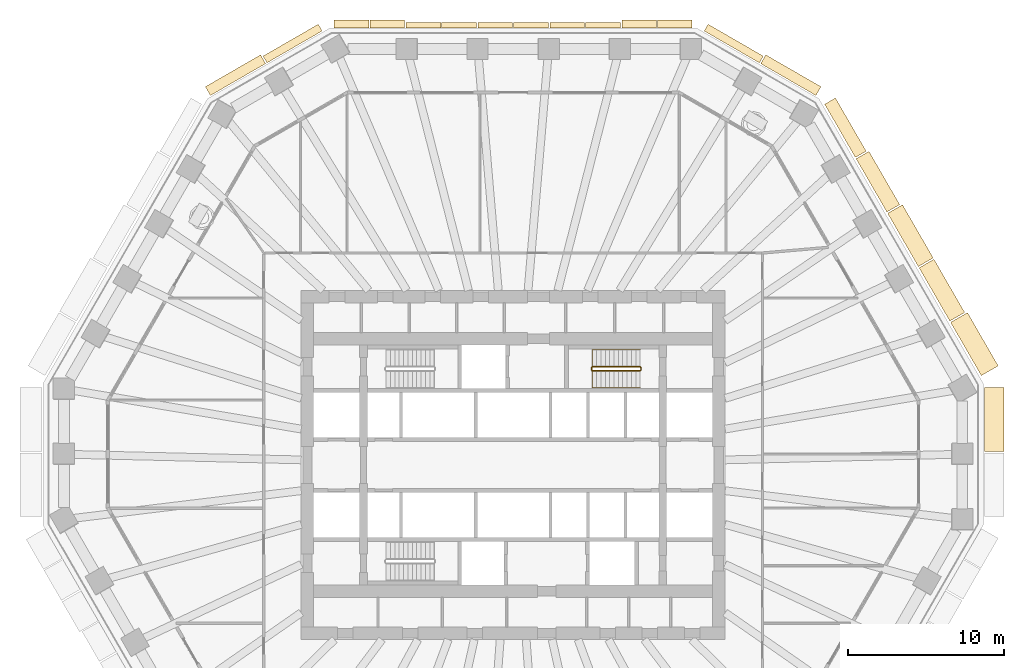
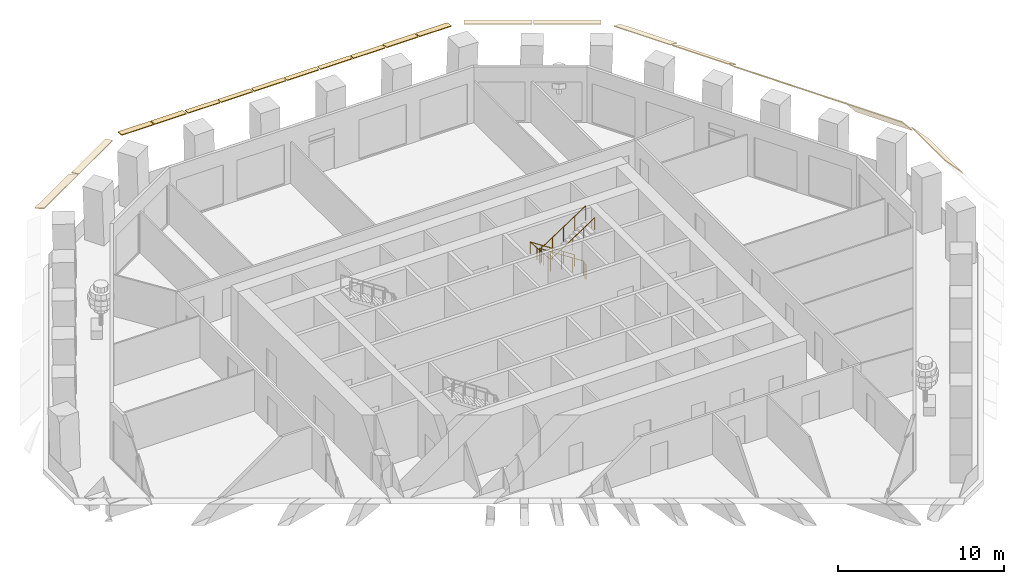
# One storey, part 11 of 13: 20 coverings, 2 railings.
"""IFC4 building model written with IfcOpenShell, lengths in metres."""

from ifc_helpers import new_model, si_unit, direction, frame, origin, origin_2d, place, context, subcontext, project, spatial, polyline, circle, outline, extrude, material, layer, layer_set, type_object, element, save


model = new_model("IFC4")

# Units and contexts
model_context = context("Model", 3, precision=1e-05, world=origin(), true_north=direction((0.0, 1.0)))
body_context = subcontext(model_context, "Body", "Model", "MODEL_VIEW")
ifc_project = project(units=[si_unit("LENGTHUNIT", "METRE"), si_unit("AREAUNIT", "SQUARE_METRE"), si_unit("VOLUMEUNIT", "CUBIC_METRE"), si_unit("PLANEANGLEUNIT", "RADIAN"), si_unit("MASSUNIT", "GRAM", prefix="KILO")], contexts=[model_context])

# Site, building, storey
site_placement = place(None, origin())
site = spatial("IfcSite", under=ifc_project, at=site_placement, CompositionType="ELEMENT")
building_placement = place(site_placement, origin())
building = spatial("IfcBuilding", under=site, at=building_placement, Name="Frailejon Research Tower", CompositionType="ELEMENT")
storey_placement = place(building_placement, frame((0.0, 0.0, 102.800048828125)))
storey = spatial("IfcBuildingStorey", under=building, at=storey_placement, Name="L22", CompositionType="ELEMENT", Elevation=102.800048828125)

# Coverings
ifc_material_1 = material(Name="Precast concrete C50/60", Category="concrete")
ifc_layer_1 = layer(ifc_material_1, 0.06005859375)
ifc_layer_set_1 = layer_set([ifc_layer_1], Name="Brim blade depth 1100")
covering_type_1 = type_object("IfcCoveringType", Name="Brim blade depth 1100", PredefinedType="CLADDING", material=ifc_layer_set_1)
for number, where, z_axis, x_axis, name in (
    (1, (26.045654296875, 12.64697265625, 4.25), (0.499990979749, -0.866030611566, 0.0), (0.866030611566, 0.499990979749, 0.0), "Brim blade L22"),
    (2, (24.025390625, 16.14599609375, 4.25), (0.500009543026, -0.866019894046, 0.0), (0.866019894046, 0.500009543026, 0.0), "Brim blade L22"),
):
    element("IfcCovering", number, at=place(storey_placement, frame(where, z_axis=z_axis, x_axis=x_axis)), inside=storey, type_object=covering_type_1, Name=name, PredefinedType="CLADDING", context=body_context, shape_type="SweptSolid", body=[
        extrude(outline(polyline([(0.0, -0.078369140625), (1.10009765625, -1.001220703125), (1.10009765625, -0.923095703125), (0.0, 0.0), (0.0, -0.078369140625)])), origin(), (0.0, 0.0, 1.0), 3.940185546875),
    ])
ifc_material_2 = material(Name="Precast concrete C50/60", Category="concrete")
ifc_layer_2 = layer(ifc_material_2, 0.06005859375)
ifc_layer_set_2 = layer_set([ifc_layer_2], Name="Brim blade depth 1250")
covering_type_2 = type_object("IfcCoveringType", Name="Brim blade depth 1250", PredefinedType="CLADDING", material=ifc_layer_set_2)
covering_1_placement = place(storey_placement, frame((30.24169921875, 4.96728515625, 4.25), z_axis=(0.0, -1.0, 0.0), x_axis=(1.0, 0.0, 0.0)))
element("IfcCovering", 3, at=covering_1_placement, inside=storey, type_object=covering_type_2, Name="Brim blade L22", PredefinedType="CLADDING", context=body_context, shape_type="SweptSolid", body=[
    extrude(outline(polyline([(0.0, -0.0888671875), (1.25, -1.452880859375), (1.25, -1.364013671875), (0.0, 0.0), (0.0, -0.0888671875)])), origin(), (0.0, 0.0, 1.0), 4.08740234375),
])
covering_2_placement = place(storey_placement, frame((28.065673828125, 9.14794921875, 4.25), z_axis=(0.499998825824, -0.866026081694, 0.0), x_axis=(0.866026081694, 0.499998825824, 0.0)))
element("IfcCovering", 4, at=covering_2_placement, inside=storey, type_object=covering_type_2, Name="Brim blade L22", PredefinedType="CLADDING", context=body_context, shape_type="SweptSolid", body=[
    extrude(outline(polyline([(0.0, -0.0888671875), (1.25, -1.452880859375), (1.25, -1.364013671875), (0.0, 0.0), (0.0, -0.0888671875)])), origin(), (0.0, 0.0, 1.0), 3.9404296875),
])
ifc_material_3 = material(Name="Precast concrete C50/60", Category="concrete")
ifc_layer_3 = layer(ifc_material_3, 0.06005859375)
ifc_layer_set_3 = layer_set([ifc_layer_3], Name="Brim blade depth 350")
covering_type_3 = type_object("IfcCoveringType", Name="Brim blade depth 350", PredefinedType="CLADDING", material=ifc_layer_set_3)
for number, where, z_axis, x_axis, name in (
    (5, (4.64501953125, 28.050048828125, 4.25), (1.0, 0.0, 0.0), (0.0, 1.0, 0.0), "Brim blade L22"),
    (6, (2.357666015625, 28.050048828125, 4.25), (1.0, 0.0, 0.0), (0.0, 1.0, 0.0), "Brim blade L22"),
    (7, (0.030029296875, 28.050048828125, 4.25), (1.0, 0.0, 0.0), (0.0, 1.0, 0.0), "Brim blade L22"),
    (8, (-2.257568359375, 28.050048828125, 4.25), (1.0, 0.0, 0.0), (0.0, 1.0, 0.0), "Brim blade L22"),
    (9, (-4.585205078125, 28.050048828125, 4.25), (1.0, 0.0, 0.0), (0.0, 1.0, 0.0), "Brim blade L22"),
    (10, (-6.872802734375, 28.050048828125, 4.25), (1.0, 0.0, 0.0), (0.0, 1.0, 0.0), "Brim blade L22"),
):
    element("IfcCovering", number, at=place(storey_placement, frame(where, z_axis=z_axis, x_axis=x_axis)), inside=storey, type_object=covering_type_3, Name=name, PredefinedType="CLADDING", context=body_context, shape_type="SweptSolid", body=[
        extrude(outline(polyline([(0.0, -0.06005859375), (0.35009765625, -0.06005859375), (0.35009765625, 0.0), (0.0, 0.0), (0.0, -0.06005859375)])), origin(), (0.0, 0.0, 1.0), 2.2275390625),
    ])
ifc_material_4 = material(Name="Precast concrete C50/60", Category="concrete")
ifc_layer_4 = layer(ifc_material_4, 0.06005859375)
ifc_layer_set_4 = layer_set([ifc_layer_4], Name="Brim blade depth 500")
covering_type_4 = type_object("IfcCoveringType", Name="Brim blade depth 500", PredefinedType="CLADDING", material=ifc_layer_set_4)
covering_3_placement = place(storey_placement, frame((12.256103515625, 27.843994140625, 4.25), z_axis=(0.866021344981, -0.500007029989, 0.0), x_axis=(0.500007029989, 0.866021344981, 0.0)))
element("IfcCovering", 11, at=covering_3_placement, inside=storey, type_object=covering_type_4, Name="Brim blade L22", PredefinedType="CLADDING", context=body_context, shape_type="SweptSolid", body=[
    extrude(outline(polyline([(0.0, -0.060546875), (0.5, -0.130859375), (0.5, -0.0703125), (0.0, 0.0), (0.0, -0.060546875)])), origin(), (0.0, 0.0, 1.0), 4.08740234375),
])
for number, where, z_axis, x_axis, name in (
    (12, (9.26025390625, 28.050048828125, 4.25), (1.0, 0.0, 0.0), (0.0, 1.0, 0.0), "Brim blade L22"),
    (13, (6.97265625, 28.050048828125, 4.25), (1.0, 0.0, 0.0), (0.0, 1.0, 0.0), "Brim blade L22"),
    (14, (-9.2001953125, 28.050048828125, 4.25), (1.0, 0.0, 0.0), (0.0, 1.0, 0.0), "Brim blade L22"),
    (15, (-11.48779296875, 28.050048828125, 4.25), (1.0, 0.0, 0.0), (0.0, 1.0, 0.0), "Brim blade L22"),
):
    element("IfcCovering", number, at=place(storey_placement, frame(where, z_axis=z_axis, x_axis=x_axis)), inside=storey, type_object=covering_type_4, Name=name, PredefinedType="CLADDING", context=body_context, shape_type="SweptSolid", body=[
        extrude(outline(polyline([(0.0, -0.060546875), (0.5, -0.130859375), (0.5, -0.0703125), (0.0, 0.0), (0.0, -0.060546875)])), origin(), (0.0, 0.0, 1.0), 2.2275390625),
    ])
covering_4_placement = place(storey_placement, frame((-15.796142578125, 25.80029296875, 4.25), z_axis=(0.866021344981, 0.500007029989, 0.0), x_axis=(-0.500007029989, 0.866021344981, 0.0)))
element("IfcCovering", 16, at=covering_4_placement, inside=storey, type_object=covering_type_4, Name="Brim blade L22", PredefinedType="CLADDING", context=body_context, shape_type="SweptSolid", body=[
    extrude(outline(polyline([(0.0, -0.060546875), (0.5, -0.130859375), (0.5, -0.0703125), (0.0, 0.0), (0.0, -0.060546875)])), origin(), (0.0, 0.0, 1.0), 4.08740234375),
])
ifc_material_5 = material(Name="Precast concrete C50/60", Category="concrete")
ifc_layer_5 = layer(ifc_material_5, 0.06005859375)
ifc_layer_set_5 = layer_set([ifc_layer_5], Name="Brim blade depth 650")
covering_type_5 = type_object("IfcCoveringType", Name="Brim blade depth 650", PredefinedType="CLADDING", material=ifc_layer_set_5)
for number, where, z_axis, x_axis, name in (
    (17, (15.8828125, 25.750244140625, 4.25), (0.866021344981, -0.500007029989, 0.0), (0.500007029989, 0.866021344981, 0.0), "Brim blade L22"),
    (18, (-19.422607421875, 23.70654296875, 4.25), (0.866021344981, 0.500007029989, 0.0), (-0.500007029989, 0.866021344981, 0.0), "Brim blade L22"),
):
    element("IfcCovering", number, at=place(storey_placement, frame(where, z_axis=z_axis, x_axis=x_axis)), inside=storey, type_object=covering_type_5, Name=name, PredefinedType="CLADDING", context=body_context, shape_type="SweptSolid", body=[
        extrude(outline(polyline([(0.0, -0.0625), (0.64990234375, -0.248779296875), (0.64990234375, -0.186279296875), (0.0, 0.0), (0.0, -0.0625)])), origin(), (0.0, 0.0, 1.0), 4.08740234375),
    ])
ifc_material_6 = material(Name="Precast concrete C50/60", Category="concrete")
ifc_layer_6 = layer(ifc_material_6, 0.06005859375)
ifc_layer_set_6 = layer_set([ifc_layer_6], Name="Brim blade depth 800")
covering_type_6 = type_object("IfcCoveringType", Name="Brim blade depth 800", PredefinedType="CLADDING", material=ifc_layer_set_6)
covering_5_placement = place(storey_placement, frame((19.985107421875, 23.14404296875, 4.25), z_axis=(0.500009543026, -0.866019894046, 0.0), x_axis=(0.866019894046, 0.500009543026, 0.0)))
element("IfcCovering", 19, at=covering_5_placement, inside=storey, type_object=covering_type_6, Name="Brim blade L22", PredefinedType="CLADDING", context=body_context, shape_type="SweptSolid", body=[
    extrude(outline(polyline([(0.0, -0.065673828125), (0.800048828125, -0.421875), (0.800048828125, -0.356201171875), (0.0, 0.0), (0.0, -0.065673828125)])), origin(), (0.0, 0.0, 1.0), 3.940185546875),
])
ifc_material_7 = material(Name="Precast concrete C50/60", Category="concrete")
ifc_layer_7 = layer(ifc_material_7, 0.06005859375)
ifc_layer_set_7 = layer_set([ifc_layer_7], Name="Brim blade depth 950")
covering_type_7 = type_object("IfcCoveringType", Name="Brim blade depth 950", PredefinedType="CLADDING", material=ifc_layer_set_7)
covering_6_placement = place(storey_placement, frame((22.005126953125, 19.64501953125, 4.25), z_axis=(0.499998825824, -0.866026081694, 0.0), x_axis=(0.866026081694, 0.499998825824, 0.0)))
element("IfcCovering", 20, at=covering_6_placement, inside=storey, type_object=covering_type_7, Name="Brim blade L22", PredefinedType="CLADDING", context=body_context, shape_type="SweptSolid", body=[
    extrude(outline(polyline([(0.0, -0.07080078125), (0.949951171875, -0.664306640625), (0.949951171875, -0.593505859375), (0.0, 0.0), (0.0, -0.07080078125)])), origin(), (0.0, 0.0, 1.0), 3.9404296875),
])

# Railings
ifc_material_8 = material(Name="Stainless steel", Category="steel")
railing_type_1 = type_object("IfcRailingType", Name="Stair guard 1100", PredefinedType="GUARDRAIL", material=ifc_material_8)
railing_1_placement = place(storey_placement, frame((8.199951171875, 6.10009765625, 0.0)))
element("IfcRailing", 21, at=railing_1_placement, inside=storey, type_object=railing_type_1, Name="L22 ST3 stair guard 1", PredefinedType="GUARDRAIL", context=body_context, shape_type="SweptSolid", body=[
    extrude(circle(Radius=0.02392578125, at=origin_2d()), frame((0.0, 0.0, 1.076171875), z_axis=(0.0, 1.0, 0.0), x_axis=(-1.0, 0.0, 0.0)), (0.0, 0.0, 1.0), 0.14990234375),
    extrude(circle(Radius=0.02392578125, at=origin_2d()), frame((0.0, 0.14990234375, 1.076171875), z_axis=(-0.254653276557, 0.254653276557, 0.932900539971), x_axis=(-0.707106781187, -0.707106781187, 0.0)), (0.0, 0.0, 1.0), 0.196533203125),
    extrude(circle(Radius=0.02392578125, at=origin_2d()), frame((-0.050048828125, 0.199951171875, 1.25927734375), z_axis=(-0.836613101238, 0.0, 0.547794230379), x_axis=(0.0, -1.0, 0.0)), (0.0, 0.0, 1.0), 3.681396484375),
    extrude(circle(Radius=0.02392578125, at=origin_2d()), frame((-3.1298828125, 0.199951171875, 3.27587890625), z_axis=(-0.707106781187, -0.707106781187, 0.0), x_axis=(0.707106781187, -0.707106781187, 0.0)), (0.0, 0.0, 1.0), 0.07080078125),
    extrude(circle(Radius=0.02392578125, at=origin_2d()), frame((-3.179931640625, 0.14990234375, 3.27587890625), z_axis=(0.0, -1.0, 0.0), x_axis=(1.0, 0.0, 0.0)), (0.0, 0.0, 1.0), 0.14990234375),
    extrude(circle(Radius=0.02392578125, at=origin_2d()), frame((-3.179931640625, 0.0, 3.27587890625), z_axis=(0.254653276557, -0.254653276557, 0.932900539971), x_axis=(0.707106781187, 0.707106781187, 0.0)), (0.0, 0.0, 1.0), 0.196533203125),
    extrude(circle(Radius=0.02392578125, at=origin_2d()), frame((-3.1298828125, -0.050048828125, 3.45947265625), z_axis=(0.836613101238, 0.0, 0.547794230379), x_axis=(0.0, 1.0, 0.0)), (0.0, 0.0, 1.0), 3.681396484375),
    extrude(circle(Radius=0.02099609375, at=origin_2d()), origin(), (0.0, 0.0, 1.0), 1.052001953125),
    extrude(circle(Radius=0.02099609375, at=origin_2d()), frame((0.0, 0.14990234375, 0.0)), (0.0, 0.0, 1.0), 1.052001953125),
    extrude(circle(Radius=0.02099609375, at=origin_2d()), frame((-0.050048828125, 0.199951171875, 0.183349609375)), (0.0, 0.0, 1.0), 1.052001953125),
    extrude(circle(Radius=0.02099609375, at=origin_2d()), frame((-0.820068359375, 0.199951171875, 0.6875)), (0.0, 0.0, 1.0), 1.052001953125),
    extrude(circle(Radius=0.02099609375, at=origin_2d()), frame((-1.58984375, 0.199951171875, 1.191650390625)), (0.0, 0.0, 1.0), 1.052001953125),
    extrude(circle(Radius=0.02099609375, at=origin_2d()), frame((-2.35986328125, 0.199951171875, 1.69580078125)), (0.0, 0.0, 1.0), 1.052001953125),
    extrude(circle(Radius=0.02099609375, at=origin_2d()), frame((-3.1298828125, 0.199951171875, 2.199951171875)), (0.0, 0.0, 1.0), 1.052001953125),
    extrude(circle(Radius=0.02099609375, at=origin_2d()), frame((-3.179931640625, 0.14990234375, 2.199951171875)), (0.0, 0.0, 1.0), 1.052001953125),
    extrude(circle(Radius=0.02099609375, at=origin_2d()), frame((-3.179931640625, 0.0, 2.199951171875)), (0.0, 0.0, 1.0), 1.052001953125),
    extrude(circle(Radius=0.02099609375, at=origin_2d()), frame((-3.1298828125, -0.050048828125, 2.38330078125)), (0.0, 0.0, 1.0), 1.052001953125),
    extrude(circle(Radius=0.02099609375, at=origin_2d()), frame((-2.35986328125, -0.050048828125, 2.887451171875)), (0.0, 0.0, 1.0), 1.052001953125),
    extrude(circle(Radius=0.02099609375, at=origin_2d()), frame((-1.58984375, -0.050048828125, 3.3916015625)), (0.0, 0.0, 1.0), 1.052001953125),
    extrude(circle(Radius=0.02099609375, at=origin_2d()), frame((-0.820068359375, -0.050048828125, 3.895751953125)), (0.0, 0.0, 1.0), 1.052001953125),
    extrude(circle(Radius=0.02099609375, at=origin_2d()), frame((-0.050048828125, -0.050048828125, 4.39990234375)), (0.0, 0.0, 1.0), 1.052001953125),
])
ifc_material_9 = material(Name="Stainless steel", Category="steel")
railing_type_2 = type_object("IfcRailingType", Name="Stair handrail 900", PredefinedType="HANDRAIL", material=ifc_material_9)
railing_2_placement = place(storey_placement, frame((8.14990234375, 7.39990234375, 0.183349609375)))
element("IfcRailing", 22, at=railing_2_placement, inside=storey, type_object=railing_type_2, Name="L22 ST3 stair handrail 1", PredefinedType="HANDRAIL", context=body_context, shape_type="SweptSolid", body=[
    extrude(circle(Radius=0.02392578125, at=origin_2d()), frame((0.0, 0.0, 0.8759765625), z_axis=(-0.836613101238, 0.0, 0.547794230379), x_axis=(0.0, -1.0, 0.0)), (0.0, 0.0, 1.0), 3.681396484375),
    extrude(circle(Radius=0.02392578125, at=origin_2d()), frame((-3.079833984375, 0.0, 2.892578125), z_axis=(0.0, -0.99721134034, 0.074629368868), x_axis=(1.0, 0.0, 0.0)), (0.0, 0.0, 1.0), 2.456787109375),
    extrude(circle(Radius=0.02392578125, at=origin_2d()), frame((-3.079833984375, -2.449951171875, 3.07568359375), z_axis=(0.836613101238, 0.0, 0.547794230379), x_axis=(0.0, 1.0, 0.0)), (0.0, 0.0, 1.0), 3.681396484375),
    extrude(circle(Radius=0.02099609375, at=origin_2d()), origin(), (0.0, 0.0, 1.0), 0.851806640625),
    extrude(circle(Radius=0.02099609375, at=origin_2d()), frame((-0.77001953125, 0.0, 0.504150390625)), (0.0, 0.0, 1.0), 0.851806640625),
    extrude(circle(Radius=0.02099609375, at=origin_2d()), frame((-1.5400390625, 0.0, 1.00830078125)), (0.0, 0.0, 1.0), 0.851806640625),
    extrude(circle(Radius=0.02099609375, at=origin_2d()), frame((-2.309814453125, 0.0, 1.512451171875)), (0.0, 0.0, 1.0), 0.851806640625),
    extrude(circle(Radius=0.02099609375, at=origin_2d()), frame((-3.079833984375, 0.0, 2.0166015625)), (0.0, 0.0, 1.0), 0.851806640625),
    extrude(circle(Radius=0.02099609375, at=origin_2d()), frame((-3.079833984375, -0.816650390625, 2.07763671875)), (0.0, 0.0, 1.0), 0.851806640625),
    extrude(circle(Radius=0.02099609375, at=origin_2d()), frame((-3.079833984375, -1.63330078125, 2.138916015625)), (0.0, 0.0, 1.0), 0.851806640625),
    extrude(circle(Radius=0.02099609375, at=origin_2d()), frame((-3.079833984375, -2.449951171875, 2.199951171875)), (0.0, 0.0, 1.0), 0.851806640625),
    extrude(circle(Radius=0.02099609375, at=origin_2d()), frame((-2.309814453125, -2.449951171875, 2.7041015625)), (0.0, 0.0, 1.0), 0.851806640625),
    extrude(circle(Radius=0.02099609375, at=origin_2d()), frame((-1.5400390625, -2.449951171875, 3.208251953125)), (0.0, 0.0, 1.0), 0.851806640625),
    extrude(circle(Radius=0.02099609375, at=origin_2d()), frame((-0.77001953125, -2.449951171875, 3.71240234375)), (0.0, 0.0, 1.0), 0.851806640625),
    extrude(circle(Radius=0.02099609375, at=origin_2d()), frame((0.0, -2.449951171875, 4.216552734375)), (0.0, 0.0, 1.0), 0.851806640625),
])

save(model, "model.ifc")
